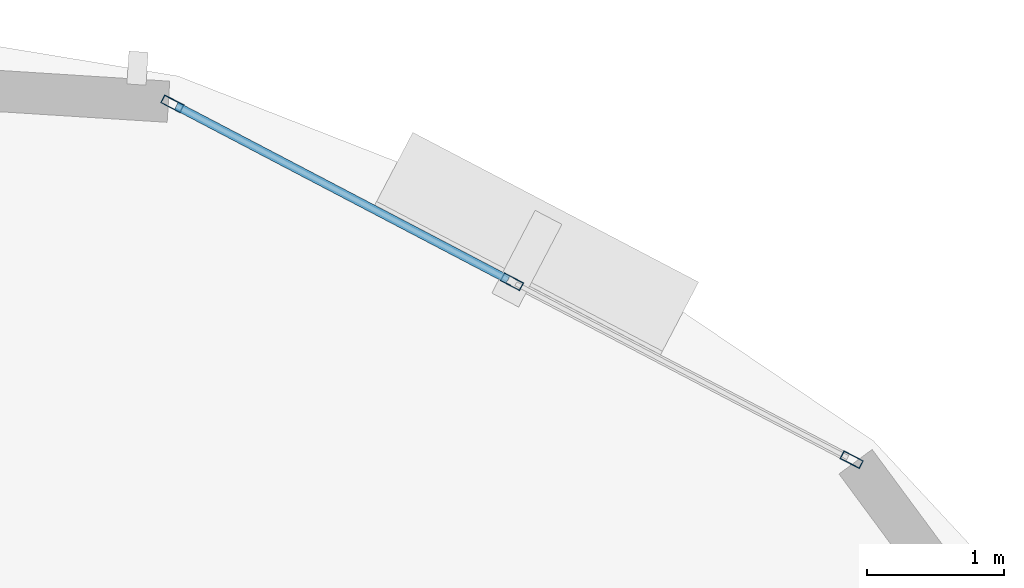
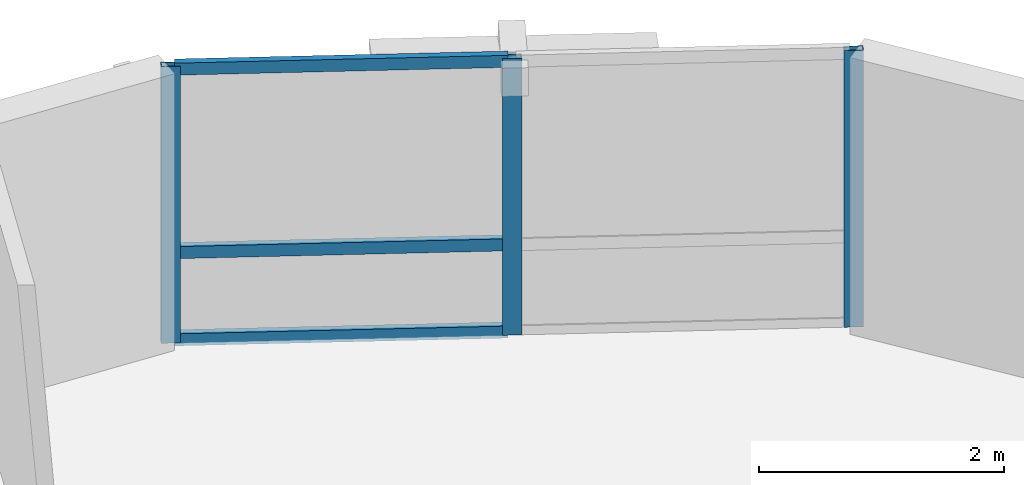
# One storey, part 5 of 11: 6 members, 1 element without a shape of its own.
"""IFC4 building model written with IfcOpenShell, lengths in metres."""

from ifc_helpers import new_model, si_unit, direction, frame, origin, origin_2d, place, context, subcontext, project, spatial, hollow_rectangle, extrude, material, layer, layer_set, material_profile, profile_set, type_object, element, aggregate, save


model = new_model("IFC4")

# Units and contexts
model_context = context("Model", 3, precision=1e-05, world=origin(), true_north=direction((0.0, 1.0)))
body_context = subcontext(model_context, "Body", "Model", "MODEL_VIEW")
ifc_project = project(units=[si_unit("LENGTHUNIT", "METRE"), si_unit("AREAUNIT", "SQUARE_METRE"), si_unit("VOLUMEUNIT", "CUBIC_METRE"), si_unit("PLANEANGLEUNIT", "RADIAN"), si_unit("MASSUNIT", "GRAM", prefix="KILO"), si_unit("THERMODYNAMICTEMPERATUREUNIT", "KELVIN"), si_unit("POWERUNIT", "WATT")], contexts=[model_context])

# Site, building, storey
site_placement = place(None, origin())
site = spatial("IfcSite", under=ifc_project, at=site_placement, CompositionType="ELEMENT")
building_placement = place(site_placement, origin())
building = spatial("IfcBuilding", under=site, at=building_placement, Name="Ocrelia Relay Tower", CompositionType="ELEMENT")
storey_placement = place(building_placement, frame((0.0, 0.0, 237.60009765625)))
storey = spatial("IfcBuildingStorey", under=building, at=storey_placement, Name="L58", CompositionType="ELEMENT", Elevation=237.60009765625)

# Curtain wall, members
ifc_material_1 = material(Name="Aluminium and solar-control low-E glass", Category="aluminium")
ifc_layer = layer(ifc_material_1, 0.179931640625, Name="Aluminium and solar-control low-E glass")
ifc_layer_set = layer_set([ifc_layer], Name="Aluminium and solar-control low-E glass")
curtain_wall_type = type_object("IfcCurtainWallType", Name="CW-SYS-Z4-EXEC", PredefinedType="NOTDEFINED", material=ifc_layer_set)
curtain_wall_placement = place(storey_placement, origin())
curtain_wall = element("IfcCurtainWall", 1, at=curtain_wall_placement, inside=storey, type_object=curtain_wall_type, Name="L58 Elliptical Tower Curtain Wall Bay 01", PredefinedType="NOTDEFINED")
ifc_material_2 = material(Name="Anodised bronze aluminium", Category="aluminium")
ifc_material_profile_1 = material_profile(ifc_material_2, hollow_rectangle(XDim=0.06494140625, YDim=0.159912109375, WallThickness=0.0048828125, at=origin_2d()), Name="CW-MUL-160x65")
ifc_profile_set_1 = profile_set([ifc_material_profile_1], Name="Anodised bronze aluminium")
member_type_1 = type_object("IfcMemberType", Name="CW-SYS-Z4-EXEC-MUL", PredefinedType="MULLION", material=ifc_profile_set_1)
member_1_placement = place(storey_placement, frame((47.637451171875, 41.959716796875, 0.0), z_axis=(0.0, 0.0, 1.0), x_axis=(-0.46402485007, -0.885822182223, 0.0)))
member_1 = element("IfcMember", 2, at=member_1_placement, type_object=member_type_1, Name="CW-Z4 mullion 1", PredefinedType="MULLION", context=body_context, shape_type="SweptSolid", body=[
    extrude(hollow_rectangle(XDim=0.06494140625, YDim=0.159912109375, WallThickness=0.0048828125, at=origin_2d()), origin(), (0.0, 0.0, 1.0), 2.760009765625),
])
member_2_placement = place(storey_placement, frame((45.163818359375, 43.255615234375, 0.0), z_axis=(0.0, 0.0, 1.0), x_axis=(-0.46402485007, -0.885822182223, 0.0)))
member_2 = element("IfcMember", 3, at=member_2_placement, type_object=member_type_1, Name="CW-Z4 mullion 2", PredefinedType="MULLION", context=body_context, shape_type="SweptSolid", body=[
    extrude(hollow_rectangle(XDim=0.06494140625, YDim=0.159912109375, WallThickness=0.0048828125, at=origin_2d()), origin(), (0.0, 0.0, 1.0), 2.760009765625),
])
member_3_placement = place(storey_placement, frame((42.68994140625, 44.551513671875, 0.0), z_axis=(0.0, 0.0, 1.0), x_axis=(-0.46402485007, -0.885822182223, 0.0)))
member_3 = element("IfcMember", 4, at=member_3_placement, type_object=member_type_1, Name="CW-Z4 mullion 3", PredefinedType="MULLION", context=body_context, shape_type="SweptSolid", body=[
    extrude(hollow_rectangle(XDim=0.06494140625, YDim=0.159912109375, WallThickness=0.0048828125, at=origin_2d()), origin(), (0.0, 0.0, 1.0), 2.760009765625),
])
ifc_material_profile_2 = material_profile(ifc_material_2, hollow_rectangle(XDim=0.06005859375, YDim=0.1201171875, WallThickness=0.0048828125, at=origin_2d()), Name="CW-TRN-120x60")
ifc_profile_set_2 = profile_set([ifc_material_profile_2], Name="Anodised bronze aluminium")
member_type_2 = type_object("IfcMemberType", Name="CW-SYS-Z4-EXEC-TRN", PredefinedType="USERDEFINED", material=ifc_profile_set_2)
member_4_placement = place(storey_placement, frame((45.135009765625, 43.270751953125, 0.02978515625), z_axis=(-0.885836790889, 0.463996961096, 0.0), x_axis=(-0.463996961096, -0.885836790889, 0.0)))
member_4 = element("IfcMember", 5, at=member_4_placement, type_object=member_type_2, Name="CW-Z4 transom 2.1", ObjectType="TRANSOM", PredefinedType="USERDEFINED", context=body_context, shape_type="SweptSolid", body=[
    extrude(hollow_rectangle(XDim=0.06005859375, YDim=0.1201171875, WallThickness=0.0048828125, at=origin_2d()), origin(), (0.0, 0.0, 1.0), 2.7275390625),
])
member_5_placement = place(storey_placement, frame((45.135009765625, 43.270751953125, 0.89990234375), z_axis=(-0.885836790889, 0.463996961096, 0.0), x_axis=(-0.463996961096, -0.885836790889, 0.0)))
member_5 = element("IfcMember", 6, at=member_5_placement, type_object=member_type_2, Name="CW-Z4 transom 2.2", ObjectType="TRANSOM", PredefinedType="USERDEFINED", context=body_context, shape_type="SweptSolid", body=[
    extrude(hollow_rectangle(XDim=0.06005859375, YDim=0.1201171875, WallThickness=0.0048828125, at=origin_2d()), origin(), (0.0, 0.0, 1.0), 2.7275390625),
])
member_6_placement = place(storey_placement, frame((45.135009765625, 43.270751953125, 2.72998046875), z_axis=(-0.885836790889, 0.463996961096, 0.0), x_axis=(-0.463996961096, -0.885836790889, 0.0)))
member_6 = element("IfcMember", 7, at=member_6_placement, type_object=member_type_2, Name="CW-Z4 transom 2.3", ObjectType="TRANSOM", PredefinedType="USERDEFINED", context=body_context, shape_type="SweptSolid", body=[
    extrude(hollow_rectangle(XDim=0.06005859375, YDim=0.1201171875, WallThickness=0.0048828125, at=origin_2d()), origin(), (0.0, 0.0, 1.0), 2.7275390625),
])
aggregate(curtain_wall, [member_1, member_2, member_3, member_4, member_5, member_6])

save(model, "model.ifc")
